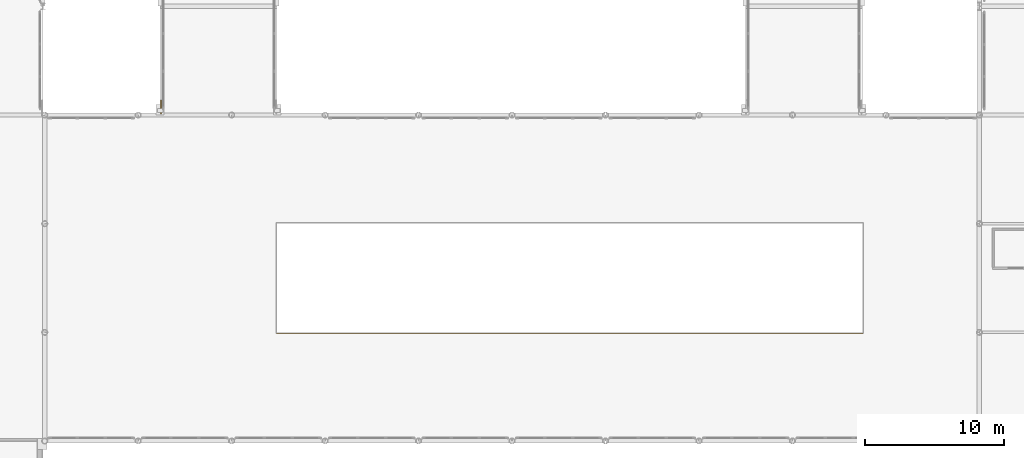
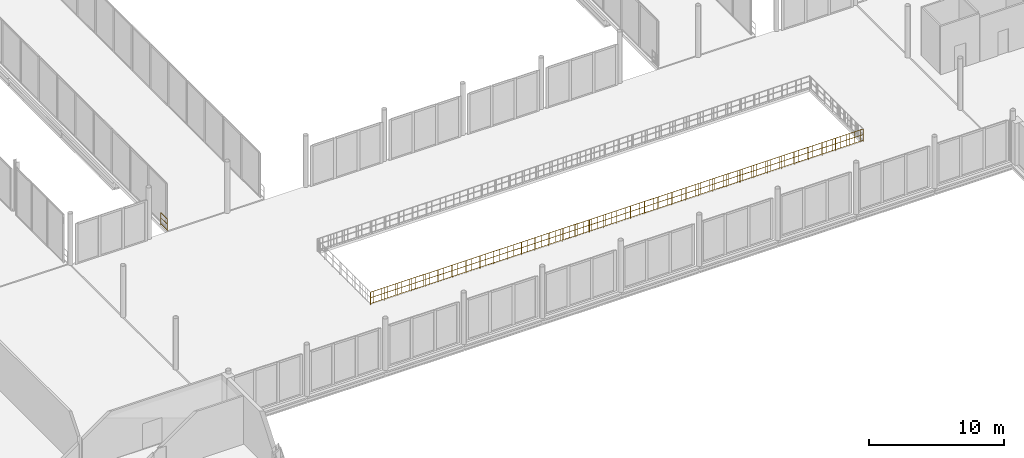
# One storey, part 87 of 98: 2 railings.
"""IFC4 building model written with IfcOpenShell, lengths in metres."""

import ifcopenshell
import ifcopenshell.guid

model = None  # the IFC model being written
_history = None  # IfcOwnerHistory: only IFC2X3 demands one
_inside = {}  # id of a spatial element -> (the spatial element, [elements in it])
_under = {}  # id of a project, library or spatial element -> (it, [spatial elements below it])
_declared = {}  # id of a project -> (the project, [libraries it declares])
_typed = {}  # id of a type object -> (the type object, [elements of that type])
_made_of = {}  # id of a material, layer set ... -> (it, [elements and type objects made of it])


def new_model(schema):
    """Start an empty IFC model of exactly this schema.

    Asked for "IFC4X3", IfcOpenShell would pick the latest addendum, in which some entities
    have other attributes; the version numbers below select the first issue.
    IFC2X3 requires an IfcOwnerHistory on every rooted entity: one is made here for all.
    """
    global model, _history
    if schema == "IFC4X3":
        model = ifcopenshell.file(schema_version=(4, 3, 0, 0))
    else:
        model = ifcopenshell.file(schema=schema)
    _inside.clear()
    _under.clear()
    _declared.clear()
    _typed.clear()
    _made_of.clear()
    _history = None
    if model.schema == "IFC2X3":
        org = make("IfcOrganization", Name="unknown")
        user = make(
            "IfcPersonAndOrganization",
            ThePerson=make("IfcPerson", FamilyName="unknown"),
            TheOrganization=org,
        )
        app = make(
            "IfcApplication",
            ApplicationDeveloper=org,
            Version="unknown",
            ApplicationFullName="unknown",
            ApplicationIdentifier="unknown",
        )
        _history = make(
            "IfcOwnerHistory",
            OwningUser=user,
            OwningApplication=app,
            ChangeAction="ADDED",
            CreationDate=0,
        )
    return model


def make(cls, **values):
    """One entity of the class cls with the attributes given. An attribute that is None is left unset."""
    return model.create_entity(
        cls, **{name: value for name, value in values.items() if value is not None}
    )


def rooted(cls, **values):
    """An entity with a GlobalId (a new one), such as an element, a storey or a relation."""
    return make(cls, GlobalId=ifcopenshell.guid.new(), OwnerHistory=_history, **values)


def si_unit(unit_type, name, prefix=None):
    """IfcSIUnit, for example si_unit("LENGTHUNIT", "METRE", prefix="MILLI")."""
    return make("IfcSIUnit", UnitType=unit_type, Prefix=prefix, Name=name)


def assignment(units):
    """IfcUnitAssignment: the units of a project."""
    return None if units is None else make("IfcUnitAssignment", Units=units)


def point(xyz):
    """IfcCartesianPoint."""
    return None if xyz is None else make("IfcCartesianPoint", Coordinates=xyz)


def direction(xyz):
    """IfcDirection."""
    return None if xyz is None else make("IfcDirection", DirectionRatios=xyz)


def frame(location, z_axis=None, x_axis=None):
    """IfcAxis2Placement3D, a coordinate frame: its origin and axes. An axis left out is left unset."""
    return make(
        "IfcAxis2Placement3D",
        Location=point(location),
        Axis=direction(z_axis),
        RefDirection=direction(x_axis),
    )


def frame_2d(location, x_axis=None):
    """IfcAxis2Placement2D, a coordinate frame in the plane: its origin and x axis."""
    return make(
        "IfcAxis2Placement2D", Location=point(location), RefDirection=direction(x_axis)
    )


def origin():
    """The frame at (0, 0, 0) with its axes left unset."""
    return frame((0.0, 0.0, 0.0))


def origin_2d():
    """The frame at (0, 0) in the plane with its x axis left unset."""
    return frame_2d((0.0, 0.0))


def place(relative_to, where):
    """IfcLocalPlacement: puts the frame where relative to a parent placement (None: the world)."""
    return make(
        "IfcLocalPlacement", PlacementRelTo=relative_to, RelativePlacement=where
    )


def context(
    kind, dimensions, precision=None, world=None, true_north=None, identifier=None
):
    """IfcGeometricRepresentationContext, for example the 3D "Model" context."""
    return make(
        "IfcGeometricRepresentationContext",
        ContextIdentifier=identifier,
        ContextType=kind,
        CoordinateSpaceDimension=dimensions,
        Precision=precision,
        WorldCoordinateSystem=world,
        TrueNorth=true_north,
    )


def subcontext(parent, identifier, kind, view, scale=None):
    """IfcGeometricRepresentationSubContext, for example "Body" below "Model"."""
    return make(
        "IfcGeometricRepresentationSubContext",
        ContextIdentifier=identifier,
        ContextType=kind,
        ParentContext=parent,
        TargetScale=scale,
        TargetView=view,
    )


def project(units=None, contexts=None):
    """IfcProject with its units and contexts."""
    return rooted(
        "IfcProject",
        Name="project",
        RepresentationContexts=contexts,
        UnitsInContext=assignment(units),
    )


def spatial(cls, under=None, at=None, **own):
    """A site, building, storey or space (cls), placed at a placement, below another one or the project."""
    s = rooted(cls, ObjectPlacement=at, **own)
    if under is not None:
        _under.setdefault(under.id(), (under, []))[1].append(s)
    return s


def profile(cls, at=None, kind="AREA", **sizes):
    """A parametric profile (cls). Its sizes go by their IFC names, for example OverallWidth=200.0."""
    return make(cls, ProfileType=kind, Position=at, **sizes)


def circle(**sizes):
    """IfcCircleProfileDef."""
    return profile("IfcCircleProfileDef", **sizes)


def extrude(swept, where, along, depth):
    """IfcExtrudedAreaSolid: the profile swept, set in the frame where, extruded along a direction by depth."""
    return make(
        "IfcExtrudedAreaSolid",
        SweptArea=swept,
        Position=where,
        ExtrudedDirection=direction(along),
        Depth=depth,
    )


def shape(context_of_items, identifier, shape_type, items):
    """IfcShapeRepresentation: the items that make up one representation, for example the "Body"."""
    return make(
        "IfcShapeRepresentation",
        ContextOfItems=context_of_items,
        RepresentationIdentifier=identifier,
        RepresentationType=shape_type,
        Items=items,
    )


def material(Name=None, Category=None):
    """IfcMaterial."""
    return make("IfcMaterial", Name=Name, Category=Category)


def layer(
    of_material, thickness, ventilated=None, Name=None, Category=None, Priority=None
):
    """IfcMaterialLayer: one layer of a wall or slab, of a material (None: an air gap)."""
    return make(
        "IfcMaterialLayer",
        Material=of_material,
        LayerThickness=thickness,
        IsVentilated=ventilated,
        Name=Name,
        Category=Category,
        Priority=Priority,
    )


def layer_set(layers, Name=None):
    """IfcMaterialLayerSet."""
    return make("IfcMaterialLayerSet", MaterialLayers=layers, LayerSetName=Name)


def made_of(thing, what):
    """Note that an element or type object is made of a material, layer set ...; save() writes the relation."""
    if what is not None:
        _made_of.setdefault(what.id(), (what, []))[1].append(thing)
    return thing


def type_object(cls, material=None, **own):
    """A type object (cls), such as IfcWallType, which elements share."""
    return made_of(rooted(cls, **own), material)


def element(
    cls,
    number,
    at=None,
    inside=None,
    cuts=None,
    type_object=None,
    material=None,
    context=None,
    identifier="Body",
    shape_type=None,
    held_by="IfcProductDefinitionShape",
    body=None,
    shapes=None,
    **own,
):
    """One element of the class cls, such as IfcWall. Its Tag is "e" and its number.

    at: its placement. inside: the storey or other place that contains it. cuts: it is an
    opening in that element (IfcRelVoidsElement). A single representation is given by context,
    identifier, shape_type and body (its items); several are given by shapes. held_by: the class
    of the entity that holds the representations. save() writes the other relations.
    """
    e = rooted(cls, Tag="e%d" % number, ObjectPlacement=at, **own)
    if body is not None:
        shapes = [shape(context, identifier, shape_type, body)]
    if shapes is not None:
        e.Representation = make(held_by, Representations=shapes)
    if inside is not None:
        _inside.setdefault(inside.id(), (inside, []))[1].append(e)
    if cuts is not None:
        rooted(
            "IfcRelVoidsElement", RelatingBuildingElement=cuts, RelatedOpeningElement=e
        )
    if type_object is not None:
        _typed.setdefault(type_object.id(), (type_object, []))[1].append(e)
    return made_of(e, material)


def aggregate(whole, parts):
    """IfcRelAggregates: a whole, such as a stair, and the parts it consists of."""
    return rooted("IfcRelAggregates", RelatingObject=whole, RelatedObjects=parts)


def save(model, path):
    """Write the relations noted so far, then the file.

    IfcRelAggregates (storeys below a building ...), IfcRelContainedInSpatialStructure (elements
    in a storey), IfcRelDefinesByType, IfcRelAssociatesMaterial and IfcRelDeclares: one each for
    every whole, place, type object, material and project.
    """
    for whole, parts in _under.values():
        aggregate(whole, parts)
    for where, things in _inside.values():
        rooted(
            "IfcRelContainedInSpatialStructure",
            RelatedElements=things,
            RelatingStructure=where,
        )
    for kind, things in _typed.values():
        rooted("IfcRelDefinesByType", RelatedObjects=things, RelatingType=kind)
    for what, things in _made_of.values():
        rooted("IfcRelAssociatesMaterial", RelatedObjects=things, RelatingMaterial=what)
    for by, libraries in _declared.values():
        rooted("IfcRelDeclares", RelatingContext=by, RelatedDefinitions=libraries)
    model.write(path)


model = new_model("IFC4")

# Units and contexts
model_context = context("Model", 3, precision=1e-05, world=origin(), true_north=direction((0.0, 1.0)))
body_context = subcontext(model_context, "Body", "Model", "MODEL_VIEW")
ifc_project = project(units=[si_unit("LENGTHUNIT", "METRE"), si_unit("AREAUNIT", "SQUARE_METRE"), si_unit("VOLUMEUNIT", "CUBIC_METRE"), si_unit("PLANEANGLEUNIT", "RADIAN"), si_unit("MASSUNIT", "GRAM", prefix="KILO")], contexts=[model_context])

# Site, building, storey
site_placement = place(None, origin())
site = spatial("IfcSite", under=ifc_project, at=site_placement, CompositionType="ELEMENT")
building_placement = place(site_placement, origin())
building = spatial("IfcBuilding", under=site, at=building_placement, Name="Nabrawat Pavilion Hospital", CompositionType="ELEMENT")
storey_placement = place(building_placement, frame((0.0, 0.0, 10.199951171875)))
storey = spatial("IfcBuildingStorey", under=building, at=storey_placement, Name="L02", CompositionType="ELEMENT", Elevation=10.199951171875)

# Railings
ifc_material_1 = material(Name="Stainless Steel 316", Category="steel")
ifc_layer_1 = layer(ifc_material_1, 0.070068359375, Name="Stainless Steel 316")
ifc_layer_set_1 = layer_set([ifc_layer_1], Name="Stainless Steel 316")
railing_type_1 = type_object("IfcRailingType", Name="Exterior Clinical Terrace Safety Guardrail 1100", PredefinedType="GUARDRAIL", material=ifc_layer_set_1)
railing_1_placement = place(storey_placement, frame((67.260009765625, 39.1201171875, 0.0)))
element("IfcRailing", 1, at=railing_1_placement, inside=storey, type_object=railing_type_1, Name="L02 Courtyard Seismic Joint Corner Guardrail 02", PredefinedType="GUARDRAIL", context=body_context, shape_type="SweptSolid", body=[
    extrude(circle(Radius=0.02392578125, at=origin_2d()), frame((0.0, 0.0, 1.09619140625), z_axis=(0.0, 1.0, 0.0), x_axis=(-1.0, 0.0, 0.0)), (0.0, 0.0, 1.0), 0.929931640625),
    extrude(circle(Radius=0.02392578125, at=origin_2d()), frame((0.0, 0.0, 0.10009765625), z_axis=(0.0, 1.0, 0.0), x_axis=(-1.0, 0.0, 0.0)), (0.0, 0.0, 1.0), 0.929931640625),
    extrude(circle(Radius=0.02392578125, at=origin_2d()), frame((0.0, 0.0, 0.615966796875), z_axis=(0.0, 1.0, 0.0), x_axis=(-1.0, 0.0, 0.0)), (0.0, 0.0, 1.0), 0.929931640625),
    extrude(circle(Radius=0.008056640625, at=origin_2d()), frame((0.0, 0.232421875, 0.10009765625)), (0.0, 0.0, 1.0), 0.971923828125),
    extrude(circle(Radius=0.008056640625, at=origin_2d()), frame((0.0, 0.46484375, 0.10009765625)), (0.0, 0.0, 1.0), 0.971923828125),
    extrude(circle(Radius=0.008056640625, at=origin_2d()), frame((0.0, 0.697509765625, 0.10009765625)), (0.0, 0.0, 1.0), 0.971923828125),
    extrude(circle(Radius=0.02099609375, at=origin_2d()), origin(), (0.0, 0.0, 1.0), 1.072021484375),
    extrude(circle(Radius=0.02099609375, at=origin_2d()), frame((0.0, 0.929931640625, 0.0)), (0.0, 0.0, 1.0), 1.072021484375),
])
ifc_material_2 = material(Name="Laminated Toughened Glass and Stainless Steel", Category="steel")
ifc_layer_2 = layer(ifc_material_2, 0.080078125, Name="Laminated Toughened Glass and Stainless Steel")
ifc_layer_set_2 = layer_set([ifc_layer_2], Name="Laminated Toughened Glass and Stainless Steel")
railing_type_2 = type_object("IfcRailingType", Name="Main Hall Atrium Void Glass Balustrade 1150", PredefinedType="BALUSTRADE", material=ifc_layer_set_2)
railing_2_placement = place(storey_placement, frame((75.5400390625, 23.340087890625, 0.0)))
element("IfcRailing", 2, at=railing_2_placement, inside=storey, type_object=railing_type_2, Name="L02 Main Hall Atrium Gallery Balustrade South", PredefinedType="BALUSTRADE", context=body_context, shape_type="SweptSolid", body=[
    extrude(circle(Radius=0.02392578125, at=origin_2d()), frame((0.0, 0.0, 1.1259765625), z_axis=(1.0, 0.0, 0.0), x_axis=(0.0, 1.0, 0.0)), (0.0, 0.0, 1.0), 42.119873046875),
    extrude(circle(Radius=0.02392578125, at=origin_2d()), frame((0.0, 0.0, 0.10009765625), z_axis=(1.0, 0.0, 0.0), x_axis=(0.0, 1.0, 0.0)), (0.0, 0.0, 1.0), 42.119873046875),
    extrude(circle(Radius=0.02392578125, at=origin_2d()), frame((0.0, 0.0, 0.63232421875), z_axis=(1.0, 0.0, 0.0), x_axis=(0.0, 1.0, 0.0)), (0.0, 0.0, 1.0), 42.119873046875),
    extrude(circle(Radius=0.008056640625, at=origin_2d()), frame((0.2392578125, 0.0, 0.10009765625)), (0.0, 0.0, 1.0), 1.001708984375),
    extrude(circle(Radius=0.008056640625, at=origin_2d()), frame((0.478515625, 0.0, 0.10009765625)), (0.0, 0.0, 1.0), 1.001708984375),
    extrude(circle(Radius=0.008056640625, at=origin_2d()), frame((0.718017578125, 0.0, 0.10009765625)), (0.0, 0.0, 1.0), 1.001708984375),
    extrude(circle(Radius=0.008056640625, at=origin_2d()), frame((0.957275390625, 0.0, 0.10009765625)), (0.0, 0.0, 1.0), 1.001708984375),
    extrude(circle(Radius=0.008056640625, at=origin_2d()), frame((1.435791015625, 0.0, 0.10009765625)), (0.0, 0.0, 1.0), 1.001708984375),
    extrude(circle(Radius=0.008056640625, at=origin_2d()), frame((1.67529296875, 0.0, 0.10009765625)), (0.0, 0.0, 1.0), 1.001708984375),
    extrude(circle(Radius=0.008056640625, at=origin_2d()), frame((1.91455078125, 0.0, 0.10009765625)), (0.0, 0.0, 1.0), 1.001708984375),
    extrude(circle(Radius=0.008056640625, at=origin_2d()), frame((2.15380859375, 0.0, 0.10009765625)), (0.0, 0.0, 1.0), 1.001708984375),
    extrude(circle(Radius=0.008056640625, at=origin_2d()), frame((2.39306640625, 0.0, 0.10009765625)), (0.0, 0.0, 1.0), 1.001708984375),
    extrude(circle(Radius=0.008056640625, at=origin_2d()), frame((2.632568359375, 0.0, 0.10009765625)), (0.0, 0.0, 1.0), 1.001708984375),
    extrude(circle(Radius=0.008056640625, at=origin_2d()), frame((2.871826171875, 0.0, 0.10009765625)), (0.0, 0.0, 1.0), 1.001708984375),
    extrude(circle(Radius=0.008056640625, at=origin_2d()), frame((3.111083984375, 0.0, 0.10009765625)), (0.0, 0.0, 1.0), 1.001708984375),
    extrude(circle(Radius=0.008056640625, at=origin_2d()), frame((3.350341796875, 0.0, 0.10009765625)), (0.0, 0.0, 1.0), 1.001708984375),
    extrude(circle(Radius=0.008056640625, at=origin_2d()), frame((3.58984375, 0.0, 0.10009765625)), (0.0, 0.0, 1.0), 1.001708984375),
    extrude(circle(Radius=0.008056640625, at=origin_2d()), frame((3.8291015625, 0.0, 0.10009765625)), (0.0, 0.0, 1.0), 1.001708984375),
    extrude(circle(Radius=0.008056640625, at=origin_2d()), frame((4.068359375, 0.0, 0.10009765625)), (0.0, 0.0, 1.0), 1.001708984375),
    extrude(circle(Radius=0.008056640625, at=origin_2d()), frame((4.3076171875, 0.0, 0.10009765625)), (0.0, 0.0, 1.0), 1.001708984375),
    extrude(circle(Radius=0.008056640625, at=origin_2d()), frame((4.547119140625, 0.0, 0.10009765625)), (0.0, 0.0, 1.0), 1.001708984375),
    extrude(circle(Radius=0.008056640625, at=origin_2d()), frame((4.786376953125, 0.0, 0.10009765625)), (0.0, 0.0, 1.0), 1.001708984375),
    extrude(circle(Radius=0.008056640625, at=origin_2d()), frame((5.025634765625, 0.0, 0.10009765625)), (0.0, 0.0, 1.0), 1.001708984375),
    extrude(circle(Radius=0.008056640625, at=origin_2d()), frame((5.264892578125, 0.0, 0.10009765625)), (0.0, 0.0, 1.0), 1.001708984375),
    extrude(circle(Radius=0.008056640625, at=origin_2d()), frame((5.50439453125, 0.0, 0.10009765625)), (0.0, 0.0, 1.0), 1.001708984375),
    extrude(circle(Radius=0.008056640625, at=origin_2d()), frame((5.74365234375, 0.0, 0.10009765625)), (0.0, 0.0, 1.0), 1.001708984375),
    extrude(circle(Radius=0.008056640625, at=origin_2d()), frame((5.98291015625, 0.0, 0.10009765625)), (0.0, 0.0, 1.0), 1.001708984375),
    extrude(circle(Radius=0.008056640625, at=origin_2d()), frame((6.22216796875, 0.0, 0.10009765625)), (0.0, 0.0, 1.0), 1.001708984375),
    extrude(circle(Radius=0.008056640625, at=origin_2d()), frame((6.461669921875, 0.0, 0.10009765625)), (0.0, 0.0, 1.0), 1.001708984375),
    extrude(circle(Radius=0.008056640625, at=origin_2d()), frame((6.700927734375, 0.0, 0.10009765625)), (0.0, 0.0, 1.0), 1.001708984375),
    extrude(circle(Radius=0.008056640625, at=origin_2d()), frame((6.940185546875, 0.0, 0.10009765625)), (0.0, 0.0, 1.0), 1.001708984375),
    extrude(circle(Radius=0.008056640625, at=origin_2d()), frame((7.179443359375, 0.0, 0.10009765625)), (0.0, 0.0, 1.0), 1.001708984375),
    extrude(circle(Radius=0.008056640625, at=origin_2d()), frame((7.4189453125, 0.0, 0.10009765625)), (0.0, 0.0, 1.0), 1.001708984375),
    extrude(circle(Radius=0.008056640625, at=origin_2d()), frame((7.658203125, 0.0, 0.10009765625)), (0.0, 0.0, 1.0), 1.001708984375),
    extrude(circle(Radius=0.008056640625, at=origin_2d()), frame((7.8974609375, 0.0, 0.10009765625)), (0.0, 0.0, 1.0), 1.001708984375),
    extrude(circle(Radius=0.008056640625, at=origin_2d()), frame((8.13671875, 0.0, 0.10009765625)), (0.0, 0.0, 1.0), 1.001708984375),
    extrude(circle(Radius=0.008056640625, at=origin_2d()), frame((8.376220703125, 0.0, 0.10009765625)), (0.0, 0.0, 1.0), 1.001708984375),
    extrude(circle(Radius=0.008056640625, at=origin_2d()), frame((8.615478515625, 0.0, 0.10009765625)), (0.0, 0.0, 1.0), 1.001708984375),
    extrude(circle(Radius=0.008056640625, at=origin_2d()), frame((8.854736328125, 0.0, 0.10009765625)), (0.0, 0.0, 1.0), 1.001708984375),
    extrude(circle(Radius=0.008056640625, at=origin_2d()), frame((9.093994140625, 0.0, 0.10009765625)), (0.0, 0.0, 1.0), 1.001708984375),
    extrude(circle(Radius=0.008056640625, at=origin_2d()), frame((9.57275390625, 0.0, 0.10009765625)), (0.0, 0.0, 1.0), 1.001708984375),
    extrude(circle(Radius=0.008056640625, at=origin_2d()), frame((9.81201171875, 0.0, 0.10009765625)), (0.0, 0.0, 1.0), 1.001708984375),
    extrude(circle(Radius=0.008056640625, at=origin_2d()), frame((10.05126953125, 0.0, 0.10009765625)), (0.0, 0.0, 1.0), 1.001708984375),
    extrude(circle(Radius=0.008056640625, at=origin_2d()), frame((10.290771484375, 0.0, 0.10009765625)), (0.0, 0.0, 1.0), 1.001708984375),
    extrude(circle(Radius=0.008056640625, at=origin_2d()), frame((10.769287109375, 0.0, 0.10009765625)), (0.0, 0.0, 1.0), 1.001708984375),
    extrude(circle(Radius=0.008056640625, at=origin_2d()), frame((11.008544921875, 0.0, 0.10009765625)), (0.0, 0.0, 1.0), 1.001708984375),
    extrude(circle(Radius=0.008056640625, at=origin_2d()), frame((11.247802734375, 0.0, 0.10009765625)), (0.0, 0.0, 1.0), 1.001708984375),
    extrude(circle(Radius=0.008056640625, at=origin_2d()), frame((11.4873046875, 0.0, 0.10009765625)), (0.0, 0.0, 1.0), 1.001708984375),
    extrude(circle(Radius=0.008056640625, at=origin_2d()), frame((11.9658203125, 0.0, 0.10009765625)), (0.0, 0.0, 1.0), 1.001708984375),
    extrude(circle(Radius=0.008056640625, at=origin_2d()), frame((12.205078125, 0.0, 0.10009765625)), (0.0, 0.0, 1.0), 1.001708984375),
    extrude(circle(Radius=0.008056640625, at=origin_2d()), frame((12.444580078125, 0.0, 0.10009765625)), (0.0, 0.0, 1.0), 1.001708984375),
    extrude(circle(Radius=0.008056640625, at=origin_2d()), frame((12.683837890625, 0.0, 0.10009765625)), (0.0, 0.0, 1.0), 1.001708984375),
    extrude(circle(Radius=0.008056640625, at=origin_2d()), frame((12.923095703125, 0.0, 0.10009765625)), (0.0, 0.0, 1.0), 1.001708984375),
    extrude(circle(Radius=0.008056640625, at=origin_2d()), frame((13.162353515625, 0.0, 0.10009765625)), (0.0, 0.0, 1.0), 1.001708984375),
    extrude(circle(Radius=0.008056640625, at=origin_2d()), frame((13.40185546875, 0.0, 0.10009765625)), (0.0, 0.0, 1.0), 1.001708984375),
    extrude(circle(Radius=0.008056640625, at=origin_2d()), frame((13.64111328125, 0.0, 0.10009765625)), (0.0, 0.0, 1.0), 1.001708984375),
    extrude(circle(Radius=0.008056640625, at=origin_2d()), frame((13.88037109375, 0.0, 0.10009765625)), (0.0, 0.0, 1.0), 1.001708984375),
    extrude(circle(Radius=0.008056640625, at=origin_2d()), frame((14.11962890625, 0.0, 0.10009765625)), (0.0, 0.0, 1.0), 1.001708984375),
    extrude(circle(Radius=0.008056640625, at=origin_2d()), frame((14.359130859375, 0.0, 0.10009765625)), (0.0, 0.0, 1.0), 1.001708984375),
    extrude(circle(Radius=0.008056640625, at=origin_2d()), frame((14.598388671875, 0.0, 0.10009765625)), (0.0, 0.0, 1.0), 1.001708984375),
    extrude(circle(Radius=0.008056640625, at=origin_2d()), frame((14.837646484375, 0.0, 0.10009765625)), (0.0, 0.0, 1.0), 1.001708984375),
    extrude(circle(Radius=0.008056640625, at=origin_2d()), frame((15.076904296875, 0.0, 0.10009765625)), (0.0, 0.0, 1.0), 1.001708984375),
    extrude(circle(Radius=0.008056640625, at=origin_2d()), frame((15.31640625, 0.0, 0.10009765625)), (0.0, 0.0, 1.0), 1.001708984375),
    extrude(circle(Radius=0.008056640625, at=origin_2d()), frame((15.5556640625, 0.0, 0.10009765625)), (0.0, 0.0, 1.0), 1.001708984375),
    extrude(circle(Radius=0.008056640625, at=origin_2d()), frame((15.794921875, 0.0, 0.10009765625)), (0.0, 0.0, 1.0), 1.001708984375),
    extrude(circle(Radius=0.008056640625, at=origin_2d()), frame((16.0341796875, 0.0, 0.10009765625)), (0.0, 0.0, 1.0), 1.001708984375),
    extrude(circle(Radius=0.008056640625, at=origin_2d()), frame((16.273681640625, 0.0, 0.10009765625)), (0.0, 0.0, 1.0), 1.001708984375),
    extrude(circle(Radius=0.008056640625, at=origin_2d()), frame((16.512939453125, 0.0, 0.10009765625)), (0.0, 0.0, 1.0), 1.001708984375),
    extrude(circle(Radius=0.008056640625, at=origin_2d()), frame((16.752197265625, 0.0, 0.10009765625)), (0.0, 0.0, 1.0), 1.001708984375),
    extrude(circle(Radius=0.008056640625, at=origin_2d()), frame((16.991455078125, 0.0, 0.10009765625)), (0.0, 0.0, 1.0), 1.001708984375),
    extrude(circle(Radius=0.008056640625, at=origin_2d()), frame((17.23095703125, 0.0, 0.10009765625)), (0.0, 0.0, 1.0), 1.001708984375),
    extrude(circle(Radius=0.008056640625, at=origin_2d()), frame((17.47021484375, 0.0, 0.10009765625)), (0.0, 0.0, 1.0), 1.001708984375),
    extrude(circle(Radius=0.008056640625, at=origin_2d()), frame((17.70947265625, 0.0, 0.10009765625)), (0.0, 0.0, 1.0), 1.001708984375),
    extrude(circle(Radius=0.008056640625, at=origin_2d()), frame((17.94873046875, 0.0, 0.10009765625)), (0.0, 0.0, 1.0), 1.001708984375),
    extrude(circle(Radius=0.008056640625, at=origin_2d()), frame((18.188232421875, 0.0, 0.10009765625)), (0.0, 0.0, 1.0), 1.001708984375),
    extrude(circle(Radius=0.008056640625, at=origin_2d()), frame((18.427490234375, 0.0, 0.10009765625)), (0.0, 0.0, 1.0), 1.001708984375),
    extrude(circle(Radius=0.008056640625, at=origin_2d()), frame((18.666748046875, 0.0, 0.10009765625)), (0.0, 0.0, 1.0), 1.001708984375),
    extrude(circle(Radius=0.008056640625, at=origin_2d()), frame((18.906005859375, 0.0, 0.10009765625)), (0.0, 0.0, 1.0), 1.001708984375),
    extrude(circle(Radius=0.008056640625, at=origin_2d()), frame((19.1455078125, 0.0, 0.10009765625)), (0.0, 0.0, 1.0), 1.001708984375),
    extrude(circle(Radius=0.008056640625, at=origin_2d()), frame((19.384765625, 0.0, 0.10009765625)), (0.0, 0.0, 1.0), 1.001708984375),
    extrude(circle(Radius=0.008056640625, at=origin_2d()), frame((19.6240234375, 0.0, 0.10009765625)), (0.0, 0.0, 1.0), 1.001708984375),
    extrude(circle(Radius=0.008056640625, at=origin_2d()), frame((20.102783203125, 0.0, 0.10009765625)), (0.0, 0.0, 1.0), 1.001708984375),
    extrude(circle(Radius=0.008056640625, at=origin_2d()), frame((20.342041015625, 0.0, 0.10009765625)), (0.0, 0.0, 1.0), 1.001708984375),
    extrude(circle(Radius=0.008056640625, at=origin_2d()), frame((20.581298828125, 0.0, 0.10009765625)), (0.0, 0.0, 1.0), 1.001708984375),
    extrude(circle(Radius=0.008056640625, at=origin_2d()), frame((20.820556640625, 0.0, 0.10009765625)), (0.0, 0.0, 1.0), 1.001708984375),
    extrude(circle(Radius=0.008056640625, at=origin_2d()), frame((21.29931640625, 0.0, 0.10009765625)), (0.0, 0.0, 1.0), 1.001708984375),
    extrude(circle(Radius=0.008056640625, at=origin_2d()), frame((21.53857421875, 0.0, 0.10009765625)), (0.0, 0.0, 1.0), 1.001708984375),
    extrude(circle(Radius=0.008056640625, at=origin_2d()), frame((21.77783203125, 0.0, 0.10009765625)), (0.0, 0.0, 1.0), 1.001708984375),
    extrude(circle(Radius=0.008056640625, at=origin_2d()), frame((22.01708984375, 0.0, 0.10009765625)), (0.0, 0.0, 1.0), 1.001708984375),
    extrude(circle(Radius=0.008056640625, at=origin_2d()), frame((22.495849609375, 0.0, 0.10009765625)), (0.0, 0.0, 1.0), 1.001708984375),
    extrude(circle(Radius=0.008056640625, at=origin_2d()), frame((22.735107421875, 0.0, 0.10009765625)), (0.0, 0.0, 1.0), 1.001708984375),
    extrude(circle(Radius=0.008056640625, at=origin_2d()), frame((22.974365234375, 0.0, 0.10009765625)), (0.0, 0.0, 1.0), 1.001708984375),
    extrude(circle(Radius=0.008056640625, at=origin_2d()), frame((23.2138671875, 0.0, 0.10009765625)), (0.0, 0.0, 1.0), 1.001708984375),
    extrude(circle(Radius=0.008056640625, at=origin_2d()), frame((23.453125, 0.0, 0.10009765625)), (0.0, 0.0, 1.0), 1.001708984375),
    extrude(circle(Radius=0.008056640625, at=origin_2d()), frame((23.6923828125, 0.0, 0.10009765625)), (0.0, 0.0, 1.0), 1.001708984375),
    extrude(circle(Radius=0.008056640625, at=origin_2d()), frame((23.931640625, 0.0, 0.10009765625)), (0.0, 0.0, 1.0), 1.001708984375),
    extrude(circle(Radius=0.008056640625, at=origin_2d()), frame((24.171142578125, 0.0, 0.10009765625)), (0.0, 0.0, 1.0), 1.001708984375),
    extrude(circle(Radius=0.008056640625, at=origin_2d()), frame((24.410400390625, 0.0, 0.10009765625)), (0.0, 0.0, 1.0), 1.001708984375),
    extrude(circle(Radius=0.008056640625, at=origin_2d()), frame((24.649658203125, 0.0, 0.10009765625)), (0.0, 0.0, 1.0), 1.001708984375),
    extrude(circle(Radius=0.008056640625, at=origin_2d()), frame((24.888916015625, 0.0, 0.10009765625)), (0.0, 0.0, 1.0), 1.001708984375),
    extrude(circle(Radius=0.008056640625, at=origin_2d()), frame((25.12841796875, 0.0, 0.10009765625)), (0.0, 0.0, 1.0), 1.001708984375),
    extrude(circle(Radius=0.008056640625, at=origin_2d()), frame((25.36767578125, 0.0, 0.10009765625)), (0.0, 0.0, 1.0), 1.001708984375),
    extrude(circle(Radius=0.008056640625, at=origin_2d()), frame((25.60693359375, 0.0, 0.10009765625)), (0.0, 0.0, 1.0), 1.001708984375),
    extrude(circle(Radius=0.008056640625, at=origin_2d()), frame((25.84619140625, 0.0, 0.10009765625)), (0.0, 0.0, 1.0), 1.001708984375),
    extrude(circle(Radius=0.008056640625, at=origin_2d()), frame((26.085693359375, 0.0, 0.10009765625)), (0.0, 0.0, 1.0), 1.001708984375),
    extrude(circle(Radius=0.008056640625, at=origin_2d()), frame((26.324951171875, 0.0, 0.10009765625)), (0.0, 0.0, 1.0), 1.001708984375),
    extrude(circle(Radius=0.008056640625, at=origin_2d()), frame((26.564208984375, 0.0, 0.10009765625)), (0.0, 0.0, 1.0), 1.001708984375),
    extrude(circle(Radius=0.008056640625, at=origin_2d()), frame((26.803466796875, 0.0, 0.10009765625)), (0.0, 0.0, 1.0), 1.001708984375),
    extrude(circle(Radius=0.008056640625, at=origin_2d()), frame((27.04296875, 0.0, 0.10009765625)), (0.0, 0.0, 1.0), 1.001708984375),
    extrude(circle(Radius=0.008056640625, at=origin_2d()), frame((27.2822265625, 0.0, 0.10009765625)), (0.0, 0.0, 1.0), 1.001708984375),
    extrude(circle(Radius=0.008056640625, at=origin_2d()), frame((27.521484375, 0.0, 0.10009765625)), (0.0, 0.0, 1.0), 1.001708984375),
    extrude(circle(Radius=0.008056640625, at=origin_2d()), frame((27.7607421875, 0.0, 0.10009765625)), (0.0, 0.0, 1.0), 1.001708984375),
    extrude(circle(Radius=0.008056640625, at=origin_2d()), frame((28.000244140625, 0.0, 0.10009765625)), (0.0, 0.0, 1.0), 1.001708984375),
    extrude(circle(Radius=0.008056640625, at=origin_2d()), frame((28.239501953125, 0.0, 0.10009765625)), (0.0, 0.0, 1.0), 1.001708984375),
    extrude(circle(Radius=0.008056640625, at=origin_2d()), frame((28.478759765625, 0.0, 0.10009765625)), (0.0, 0.0, 1.0), 1.001708984375),
    extrude(circle(Radius=0.008056640625, at=origin_2d()), frame((28.718017578125, 0.0, 0.10009765625)), (0.0, 0.0, 1.0), 1.001708984375),
    extrude(circle(Radius=0.008056640625, at=origin_2d()), frame((28.95751953125, 0.0, 0.10009765625)), (0.0, 0.0, 1.0), 1.001708984375),
    extrude(circle(Radius=0.008056640625, at=origin_2d()), frame((29.19677734375, 0.0, 0.10009765625)), (0.0, 0.0, 1.0), 1.001708984375),
    extrude(circle(Radius=0.008056640625, at=origin_2d()), frame((29.43603515625, 0.0, 0.10009765625)), (0.0, 0.0, 1.0), 1.001708984375),
    extrude(circle(Radius=0.008056640625, at=origin_2d()), frame((29.67529296875, 0.0, 0.10009765625)), (0.0, 0.0, 1.0), 1.001708984375),
    extrude(circle(Radius=0.008056640625, at=origin_2d()), frame((29.914794921875, 0.0, 0.10009765625)), (0.0, 0.0, 1.0), 1.001708984375),
    extrude(circle(Radius=0.008056640625, at=origin_2d()), frame((30.154052734375, 0.0, 0.10009765625)), (0.0, 0.0, 1.0), 1.001708984375),
    extrude(circle(Radius=0.008056640625, at=origin_2d()), frame((30.632568359375, 0.0, 0.10009765625)), (0.0, 0.0, 1.0), 1.001708984375),
    extrude(circle(Radius=0.008056640625, at=origin_2d()), frame((30.8720703125, 0.0, 0.10009765625)), (0.0, 0.0, 1.0), 1.001708984375),
    extrude(circle(Radius=0.008056640625, at=origin_2d()), frame((31.111328125, 0.0, 0.10009765625)), (0.0, 0.0, 1.0), 1.001708984375),
    extrude(circle(Radius=0.008056640625, at=origin_2d()), frame((31.3505859375, 0.0, 0.10009765625)), (0.0, 0.0, 1.0), 1.001708984375),
    extrude(circle(Radius=0.008056640625, at=origin_2d()), frame((31.8291015625, 0.0, 0.10009765625)), (0.0, 0.0, 1.0), 1.001708984375),
    extrude(circle(Radius=0.008056640625, at=origin_2d()), frame((32.068603515625, 0.0, 0.10009765625)), (0.0, 0.0, 1.0), 1.001708984375),
    extrude(circle(Radius=0.008056640625, at=origin_2d()), frame((32.307861328125, 0.0, 0.10009765625)), (0.0, 0.0, 1.0), 1.001708984375),
    extrude(circle(Radius=0.008056640625, at=origin_2d()), frame((32.547119140625, 0.0, 0.10009765625)), (0.0, 0.0, 1.0), 1.001708984375),
    extrude(circle(Radius=0.008056640625, at=origin_2d()), frame((33.02587890625, 0.0, 0.10009765625)), (0.0, 0.0, 1.0), 1.001708984375),
    extrude(circle(Radius=0.008056640625, at=origin_2d()), frame((33.26513671875, 0.0, 0.10009765625)), (0.0, 0.0, 1.0), 1.001708984375),
    extrude(circle(Radius=0.008056640625, at=origin_2d()), frame((33.50439453125, 0.0, 0.10009765625)), (0.0, 0.0, 1.0), 1.001708984375),
    extrude(circle(Radius=0.008056640625, at=origin_2d()), frame((33.74365234375, 0.0, 0.10009765625)), (0.0, 0.0, 1.0), 1.001708984375),
    extrude(circle(Radius=0.008056640625, at=origin_2d()), frame((33.983154296875, 0.0, 0.10009765625)), (0.0, 0.0, 1.0), 1.001708984375),
    extrude(circle(Radius=0.008056640625, at=origin_2d()), frame((34.222412109375, 0.0, 0.10009765625)), (0.0, 0.0, 1.0), 1.001708984375),
    extrude(circle(Radius=0.008056640625, at=origin_2d()), frame((34.461669921875, 0.0, 0.10009765625)), (0.0, 0.0, 1.0), 1.001708984375),
    extrude(circle(Radius=0.008056640625, at=origin_2d()), frame((34.700927734375, 0.0, 0.10009765625)), (0.0, 0.0, 1.0), 1.001708984375),
    extrude(circle(Radius=0.008056640625, at=origin_2d()), frame((34.9404296875, 0.0, 0.10009765625)), (0.0, 0.0, 1.0), 1.001708984375),
    extrude(circle(Radius=0.008056640625, at=origin_2d()), frame((35.1796875, 0.0, 0.10009765625)), (0.0, 0.0, 1.0), 1.001708984375),
    extrude(circle(Radius=0.008056640625, at=origin_2d()), frame((35.4189453125, 0.0, 0.10009765625)), (0.0, 0.0, 1.0), 1.001708984375),
    extrude(circle(Radius=0.008056640625, at=origin_2d()), frame((35.658203125, 0.0, 0.10009765625)), (0.0, 0.0, 1.0), 1.001708984375),
    extrude(circle(Radius=0.008056640625, at=origin_2d()), frame((35.897705078125, 0.0, 0.10009765625)), (0.0, 0.0, 1.0), 1.001708984375),
    extrude(circle(Radius=0.008056640625, at=origin_2d()), frame((36.136962890625, 0.0, 0.10009765625)), (0.0, 0.0, 1.0), 1.001708984375),
    extrude(circle(Radius=0.008056640625, at=origin_2d()), frame((36.376220703125, 0.0, 0.10009765625)), (0.0, 0.0, 1.0), 1.001708984375),
    extrude(circle(Radius=0.008056640625, at=origin_2d()), frame((36.615478515625, 0.0, 0.10009765625)), (0.0, 0.0, 1.0), 1.001708984375),
    extrude(circle(Radius=0.008056640625, at=origin_2d()), frame((36.85498046875, 0.0, 0.10009765625)), (0.0, 0.0, 1.0), 1.001708984375),
    extrude(circle(Radius=0.008056640625, at=origin_2d()), frame((37.09423828125, 0.0, 0.10009765625)), (0.0, 0.0, 1.0), 1.001708984375),
    extrude(circle(Radius=0.008056640625, at=origin_2d()), frame((37.33349609375, 0.0, 0.10009765625)), (0.0, 0.0, 1.0), 1.001708984375),
    extrude(circle(Radius=0.008056640625, at=origin_2d()), frame((37.57275390625, 0.0, 0.10009765625)), (0.0, 0.0, 1.0), 1.001708984375),
    extrude(circle(Radius=0.008056640625, at=origin_2d()), frame((37.812255859375, 0.0, 0.10009765625)), (0.0, 0.0, 1.0), 1.001708984375),
    extrude(circle(Radius=0.008056640625, at=origin_2d()), frame((38.051513671875, 0.0, 0.10009765625)), (0.0, 0.0, 1.0), 1.001708984375),
    extrude(circle(Radius=0.008056640625, at=origin_2d()), frame((38.290771484375, 0.0, 0.10009765625)), (0.0, 0.0, 1.0), 1.001708984375),
    extrude(circle(Radius=0.008056640625, at=origin_2d()), frame((38.530029296875, 0.0, 0.10009765625)), (0.0, 0.0, 1.0), 1.001708984375),
    extrude(circle(Radius=0.008056640625, at=origin_2d()), frame((38.76953125, 0.0, 0.10009765625)), (0.0, 0.0, 1.0), 1.001708984375),
    extrude(circle(Radius=0.008056640625, at=origin_2d()), frame((39.0087890625, 0.0, 0.10009765625)), (0.0, 0.0, 1.0), 1.001708984375),
    extrude(circle(Radius=0.008056640625, at=origin_2d()), frame((39.248046875, 0.0, 0.10009765625)), (0.0, 0.0, 1.0), 1.001708984375),
    extrude(circle(Radius=0.008056640625, at=origin_2d()), frame((39.4873046875, 0.0, 0.10009765625)), (0.0, 0.0, 1.0), 1.001708984375),
    extrude(circle(Radius=0.008056640625, at=origin_2d()), frame((39.726806640625, 0.0, 0.10009765625)), (0.0, 0.0, 1.0), 1.001708984375),
    extrude(circle(Radius=0.008056640625, at=origin_2d()), frame((39.966064453125, 0.0, 0.10009765625)), (0.0, 0.0, 1.0), 1.001708984375),
    extrude(circle(Radius=0.008056640625, at=origin_2d()), frame((40.205322265625, 0.0, 0.10009765625)), (0.0, 0.0, 1.0), 1.001708984375),
    extrude(circle(Radius=0.008056640625, at=origin_2d()), frame((40.444580078125, 0.0, 0.10009765625)), (0.0, 0.0, 1.0), 1.001708984375),
    extrude(circle(Radius=0.008056640625, at=origin_2d()), frame((40.68408203125, 0.0, 0.10009765625)), (0.0, 0.0, 1.0), 1.001708984375),
    extrude(circle(Radius=0.008056640625, at=origin_2d()), frame((41.16259765625, 0.0, 0.10009765625)), (0.0, 0.0, 1.0), 1.001708984375),
    extrude(circle(Radius=0.008056640625, at=origin_2d()), frame((41.40185546875, 0.0, 0.10009765625)), (0.0, 0.0, 1.0), 1.001708984375),
    extrude(circle(Radius=0.008056640625, at=origin_2d()), frame((41.641357421875, 0.0, 0.10009765625)), (0.0, 0.0, 1.0), 1.001708984375),
    extrude(circle(Radius=0.008056640625, at=origin_2d()), frame((41.880615234375, 0.0, 0.10009765625)), (0.0, 0.0, 1.0), 1.001708984375),
    extrude(circle(Radius=0.02099609375, at=origin_2d()), origin(), (0.0, 0.0, 1.0), 1.101806640625),
    extrude(circle(Radius=0.02099609375, at=origin_2d()), frame((1.169921875, 0.0, 0.0)), (0.0, 0.0, 1.0), 1.101806640625),
    extrude(circle(Radius=0.02099609375, at=origin_2d()), frame((2.340087890625, 0.0, 0.0)), (0.0, 0.0, 1.0), 1.101806640625),
    extrude(circle(Radius=0.02099609375, at=origin_2d()), frame((3.510009765625, 0.0, 0.0)), (0.0, 0.0, 1.0), 1.101806640625),
    extrude(circle(Radius=0.02099609375, at=origin_2d()), frame((4.679931640625, 0.0, 0.0)), (0.0, 0.0, 1.0), 1.101806640625),
    extrude(circle(Radius=0.02099609375, at=origin_2d()), frame((5.85009765625, 0.0, 0.0)), (0.0, 0.0, 1.0), 1.101806640625),
    extrude(circle(Radius=0.02099609375, at=origin_2d()), frame((7.02001953125, 0.0, 0.0)), (0.0, 0.0, 1.0), 1.101806640625),
    extrude(circle(Radius=0.02099609375, at=origin_2d()), frame((8.18994140625, 0.0, 0.0)), (0.0, 0.0, 1.0), 1.101806640625),
    extrude(circle(Radius=0.02099609375, at=origin_2d()), frame((9.35986328125, 0.0, 0.0)), (0.0, 0.0, 1.0), 1.101806640625),
    extrude(circle(Radius=0.02099609375, at=origin_2d()), frame((10.530029296875, 0.0, 0.0)), (0.0, 0.0, 1.0), 1.101806640625),
    extrude(circle(Radius=0.02099609375, at=origin_2d()), frame((11.699951171875, 0.0, 0.0)), (0.0, 0.0, 1.0), 1.101806640625),
    extrude(circle(Radius=0.02099609375, at=origin_2d()), frame((12.869873046875, 0.0, 0.0)), (0.0, 0.0, 1.0), 1.101806640625),
    extrude(circle(Radius=0.02099609375, at=origin_2d()), frame((14.0400390625, 0.0, 0.0)), (0.0, 0.0, 1.0), 1.101806640625),
    extrude(circle(Radius=0.02099609375, at=origin_2d()), frame((15.2099609375, 0.0, 0.0)), (0.0, 0.0, 1.0), 1.101806640625),
    extrude(circle(Radius=0.02099609375, at=origin_2d()), frame((16.3798828125, 0.0, 0.0)), (0.0, 0.0, 1.0), 1.101806640625),
    extrude(circle(Radius=0.02099609375, at=origin_2d()), frame((17.550048828125, 0.0, 0.0)), (0.0, 0.0, 1.0), 1.101806640625),
    extrude(circle(Radius=0.02099609375, at=origin_2d()), frame((18.719970703125, 0.0, 0.0)), (0.0, 0.0, 1.0), 1.101806640625),
    extrude(circle(Radius=0.02099609375, at=origin_2d()), frame((19.889892578125, 0.0, 0.0)), (0.0, 0.0, 1.0), 1.101806640625),
    extrude(circle(Radius=0.02099609375, at=origin_2d()), frame((21.06005859375, 0.0, 0.0)), (0.0, 0.0, 1.0), 1.101806640625),
    extrude(circle(Radius=0.02099609375, at=origin_2d()), frame((22.22998046875, 0.0, 0.0)), (0.0, 0.0, 1.0), 1.101806640625),
    extrude(circle(Radius=0.02099609375, at=origin_2d()), frame((23.39990234375, 0.0, 0.0)), (0.0, 0.0, 1.0), 1.101806640625),
    extrude(circle(Radius=0.02099609375, at=origin_2d()), frame((24.56982421875, 0.0, 0.0)), (0.0, 0.0, 1.0), 1.101806640625),
    extrude(circle(Radius=0.02099609375, at=origin_2d()), frame((25.739990234375, 0.0, 0.0)), (0.0, 0.0, 1.0), 1.101806640625),
    extrude(circle(Radius=0.02099609375, at=origin_2d()), frame((26.909912109375, 0.0, 0.0)), (0.0, 0.0, 1.0), 1.101806640625),
    extrude(circle(Radius=0.02099609375, at=origin_2d()), frame((28.079833984375, 0.0, 0.0)), (0.0, 0.0, 1.0), 1.101806640625),
    extrude(circle(Radius=0.02099609375, at=origin_2d()), frame((29.25, 0.0, 0.0)), (0.0, 0.0, 1.0), 1.101806640625),
    extrude(circle(Radius=0.02099609375, at=origin_2d()), frame((30.419921875, 0.0, 0.0)), (0.0, 0.0, 1.0), 1.101806640625),
    extrude(circle(Radius=0.02099609375, at=origin_2d()), frame((31.58984375, 0.0, 0.0)), (0.0, 0.0, 1.0), 1.101806640625),
    extrude(circle(Radius=0.02099609375, at=origin_2d()), frame((32.760009765625, 0.0, 0.0)), (0.0, 0.0, 1.0), 1.101806640625),
    extrude(circle(Radius=0.02099609375, at=origin_2d()), frame((33.929931640625, 0.0, 0.0)), (0.0, 0.0, 1.0), 1.101806640625),
    extrude(circle(Radius=0.02099609375, at=origin_2d()), frame((35.099853515625, 0.0, 0.0)), (0.0, 0.0, 1.0), 1.101806640625),
    extrude(circle(Radius=0.02099609375, at=origin_2d()), frame((36.269775390625, 0.0, 0.0)), (0.0, 0.0, 1.0), 1.101806640625),
    extrude(circle(Radius=0.02099609375, at=origin_2d()), frame((37.43994140625, 0.0, 0.0)), (0.0, 0.0, 1.0), 1.101806640625),
    extrude(circle(Radius=0.02099609375, at=origin_2d()), frame((38.60986328125, 0.0, 0.0)), (0.0, 0.0, 1.0), 1.101806640625),
    extrude(circle(Radius=0.02099609375, at=origin_2d()), frame((39.77978515625, 0.0, 0.0)), (0.0, 0.0, 1.0), 1.101806640625),
    extrude(circle(Radius=0.02099609375, at=origin_2d()), frame((40.949951171875, 0.0, 0.0)), (0.0, 0.0, 1.0), 1.101806640625),
    extrude(circle(Radius=0.02099609375, at=origin_2d()), frame((42.119873046875, 0.0, 0.0)), (0.0, 0.0, 1.0), 1.101806640625),
])

save(model, "model.ifc")
